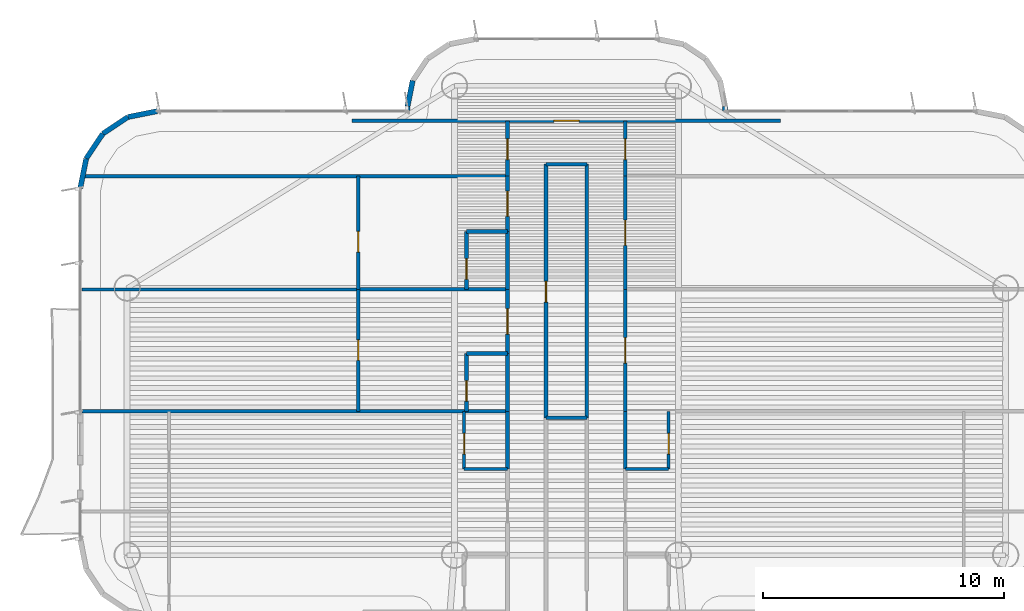
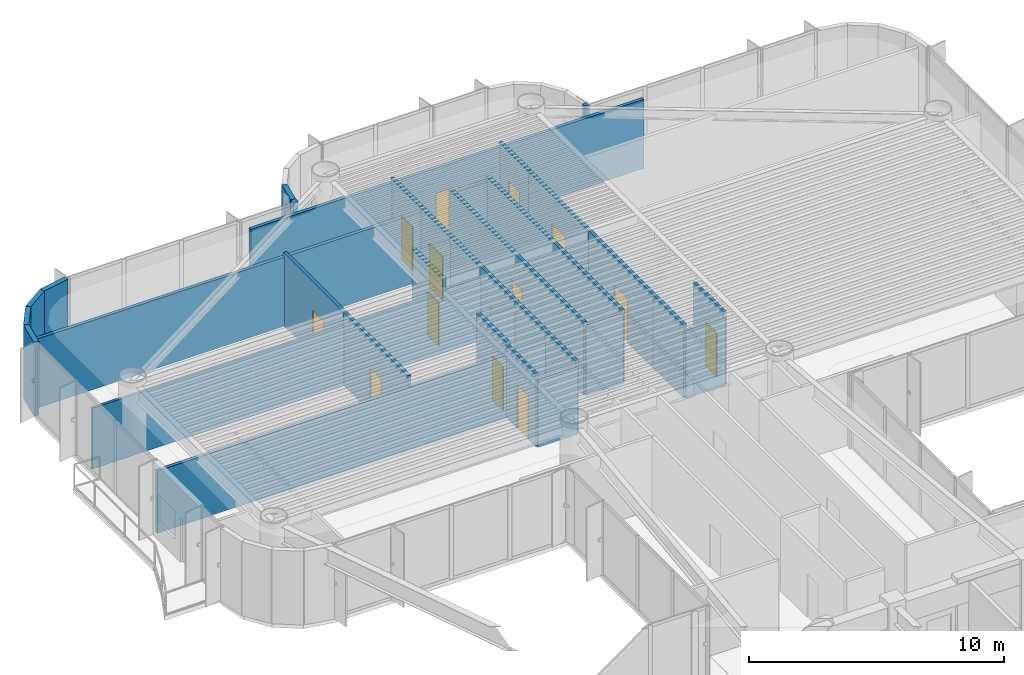
# One storey, part 11 of 14: 36 walls, 14 doors, 14 openings.
"""IFC4 building model written with IfcOpenShell, lengths in metres."""

from ifc_helpers import new_model, si_unit, direction, frame, frame_2d, origin, origin_2d, place, context, subcontext, project, spatial, rectangle, extrude, source, transform, mapped, material, layer, layer_set, type_object, element, fill, save


model = new_model("IFC4")

# Units and contexts
model_context = context("Model", 3, precision=1e-05, world=origin(), true_north=direction((0.0, 1.0)))
body_context = subcontext(model_context, "Body", "Model", "MODEL_VIEW")
ifc_project = project(units=[si_unit("LENGTHUNIT", "METRE"), si_unit("AREAUNIT", "SQUARE_METRE"), si_unit("VOLUMEUNIT", "CUBIC_METRE"), si_unit("PLANEANGLEUNIT", "RADIAN"), si_unit("MASSUNIT", "GRAM", prefix="KILO")], contexts=[model_context])

# Site, building, storey
site_placement = place(None, origin())
site = spatial("IfcSite", under=ifc_project, at=site_placement, CompositionType="ELEMENT")
building_placement = place(site_placement, origin())
building = spatial("IfcBuilding", under=site, at=building_placement, Name="Brelvock Crest Care Tower", CompositionType="ELEMENT")
storey_placement = place(building_placement, frame((0.0, 0.0, 205.56005859375)))
storey = spatial("IfcBuildingStorey", under=building, at=storey_placement, Name="L52", CompositionType="ELEMENT", Elevation=205.56005859375)

# Walls
ifc_material_1 = material(Name="Precast concrete N40 (40 MPa)", Category="concrete")
ifc_layer_1 = layer(ifc_material_1, 0.215087890625, Name="WL-EX2")
ifc_layer_set_1 = layer_set([ifc_layer_1], Name="Precast concrete N40 (40 MPa)")
wall_type_1 = type_object("IfcWallType", Name="WL-EX2", PredefinedType="SOLIDWALL", material=ifc_layer_set_1)
for number, where, z_axis, x_axis, name in (
    (1, (15.800048828125, 50.199951171875, 0.0), (0.0, 0.0, 1.0), (0.195138390419, 0.980775717779, 0.0), "L52 Rounded Corner Wall 18"),
    (2, (16.043701171875, 51.424560546875, 0.0), (0.0, 0.0, 1.0), (0.555557312883, 0.831478245117, 0.0), "L52 Rounded Corner Wall 19"),
    (3, (16.7373046875, 52.462646484375, 0.0), (0.0, 0.0, 1.0), (0.831387912822, 0.555692485475, 0.0), "L52 Rounded Corner Wall 20"),
    (4, (17.775390625, 53.156494140625, 0.0), (0.0, 0.0, 1.0), (0.980813122964, 0.194950295773, 0.0), "L52 Rounded Corner Wall 21"),
):
    element("IfcWall", number, at=place(storey_placement, frame(where, z_axis=z_axis, x_axis=x_axis)), inside=storey, type_object=wall_type_1, Name=name, PredefinedType="SOLIDWALL", context=body_context, shape_type="SweptSolid", body=[
        extrude(rectangle(XDim=1.24853515625, YDim=0.215087890625, at=frame_2d((0.624267578125, 0.0))), origin(), (0.0, 0.0, 1.0), 3.530029296875),
    ])
wall_1_placement = place(storey_placement, frame((29.39990234375, 53.39990234375, 0.0), z_axis=(0.0, 0.0, 1.0), x_axis=(0.0, 1.0, 0.0)))
element("IfcWall", 5, at=wall_1_placement, inside=storey, type_object=wall_type_1, Name="L52 Rounded Corner Wall 23", PredefinedType="SOLIDWALL", context=body_context, shape_type="SweptSolid", body=[
    extrude(rectangle(XDim=0.2001953125, YDim=0.215087890625, at=frame_2d((0.10009765625, 0.0))), origin(), (0.0, 0.0, 1.0), 3.530029296875),
])
wall_2_placement = place(storey_placement, frame((29.39990234375, 53.60009765625, 0.0), z_axis=(0.0, 0.0, 1.0), x_axis=(0.195127417394, 0.980777900945, 0.0)))
element("IfcWall", 6, at=wall_2_placement, inside=storey, type_object=wall_type_1, Name="L52 Rounded Corner Wall 24", PredefinedType="SOLIDWALL", context=body_context, shape_type="SweptSolid", body=[
    extrude(rectangle(XDim=1.09228515625, YDim=0.215087890625, at=frame_2d((0.546142578125, 0.0))), origin(), (0.0, 0.0, 1.0), 3.530029296875),
])
wall_3_placement = place(storey_placement, frame((42.60009765625, 53.60009765625, 0.0), z_axis=(0.0, 0.0, 1.0), x_axis=(0.0, -1.0, 0.0)))
element("IfcWall", 7, at=wall_3_placement, inside=storey, type_object=wall_type_1, Name="L52 Rounded Corner Wall 33", PredefinedType="SOLIDWALL", context=body_context, shape_type="SweptSolid", body=[
    extrude(rectangle(XDim=0.2001953125, YDim=0.215087890625, at=frame_2d((0.10009765625, 0.0))), origin(), (0.0, 0.0, 1.0), 3.530029296875),
])
ifc_material_2 = material(Name="Masonry Blockwork Acoustic Partition", Category="masonry")
ifc_layer_2 = layer(ifc_material_2, 0.14990234375, Name="WL-INT1")
ifc_layer_set_2 = layer_set([ifc_layer_2], Name="Masonry Blockwork Acoustic Partition")
wall_type_2 = type_object("IfcWallType", Name="WL-INT1", PredefinedType="PARTITIONING", material=ifc_layer_set_2)
wall_4_placement = place(storey_placement, frame((35.14990234375, 40.659912109375, 0.0), z_axis=(0.0, 0.0, 1.0), x_axis=(1.0, 0.0, 0.0)))
element("IfcWall", 8, at=wall_4_placement, inside=storey, type_object=wall_type_2, Name="L52 Interior Wall WL-BX-L52-ISKT-S", PredefinedType="PARTITIONING", context=body_context, shape_type="SweptSolid", body=[
    extrude(rectangle(XDim=1.7001953125, YDim=0.14990234375, at=frame_2d((0.85009765625, 0.0))), origin(), (0.0, 0.0, 1.0), 3.259033203125),
])
wall_5_placement = place(storey_placement, frame((15.8798828125, 40.926025390625, 0.0), z_axis=(0.0, 0.0, 1.0), x_axis=(1.0, 0.0, 0.0)))
element("IfcWall", 9, at=wall_5_placement, inside=storey, type_object=wall_type_2, Name="L52 Interior Wall WL-BX-L52-FL-WF1-N", PredefinedType="PARTITIONING", context=body_context, shape_type="SweptSolid", body=[
    extrude(rectangle(XDim=17.670166015625, YDim=0.14990234375, at=frame_2d((8.8349609375, 0.0))), origin(), (0.0, 0.0, 1.0), 2.98193359375),
])
wall_6_placement = place(storey_placement, frame((27.35009765625, 45.993896484375, 0.0), z_axis=(0.0, 0.0, 1.0), x_axis=(1.0, 0.0, 0.0)))
element("IfcWall", 10, at=wall_6_placement, inside=storey, type_object=wall_type_2, Name="L52 Interior Wall WL-BX-L52-CS-WFC2-N", PredefinedType="PARTITIONING", context=body_context, shape_type="SweptSolid", body=[
    extrude(rectangle(XDim=6.199951171875, YDim=0.14990234375, at=frame_2d((3.10009765625, 0.0))), origin(), (0.0, 0.0, 1.0), 2.90283203125),
])
wall_7_placement = place(storey_placement, frame((15.98095703125, 50.699951171875, 0.0), z_axis=(0.0, 0.0, 1.0), x_axis=(1.0, 0.0, 0.0)))
element("IfcWall", 11, at=wall_7_placement, inside=storey, type_object=wall_type_2, Name="L52 Interior Wall WL-BX-L52-NALW-S", PredefinedType="PARTITIONING", context=body_context, shape_type="SweptSolid", body=[
    extrude(rectangle(XDim=17.569091796875, YDim=0.14990234375, at=frame_2d((8.78466796875, 0.0))), origin(), (0.0, 0.0, 1.0), 3.307861328125),
])
wall_8_placement = place(storey_placement, frame((35.14990234375, 51.199951171875, 0.0), z_axis=(0.0, 0.0, 1.0), x_axis=(1.0, 0.0, 0.0)))
element("IfcWall", 12, at=wall_8_placement, inside=storey, type_object=wall_type_2, Name="L52 Interior Wall WL-BX-L52-ISKT-N", PredefinedType="PARTITIONING", context=body_context, shape_type="SweptSolid", body=[
    extrude(rectangle(XDim=1.7001953125, YDim=0.14990234375, at=frame_2d((0.85009765625, 0.0))), origin(), (0.0, 0.0, 1.0), 3.307861328125),
])

# Wall, opening, door
wall_9_placement = place(storey_placement, frame((27.10009765625, 53.0, 0.0), z_axis=(0.0, 0.0, 1.0), x_axis=(1.0, 0.0, 0.0)))
wall_9 = element("IfcWall", 13, at=wall_9_placement, inside=storey, type_object=wall_type_2, Name="L52 Interior Wall WL-RM-L52-NHUB", PredefinedType="PARTITIONING", context=body_context, shape_type="SweptSolid", body=[
    extrude(rectangle(XDim=17.7998046875, YDim=0.14990234375, at=frame_2d((8.89990234375, 0.0))), origin(), (0.0, 0.0, 1.0), 3.307861328125),
])
opening_1_placement = place(wall_9_placement, frame((8.375, 0.0, 0.0)))
opening_1 = element("IfcOpeningElement", 14, at=opening_1_placement, cuts=wall_9, Name="Opening CLD-1", PredefinedType="OPENING", context=body_context, shape_type="SweptSolid", body=[
    extrude(rectangle(XDim=1.050048828125, YDim=2.10009765625, at=origin_2d()), frame((0.52490234375, 0.0849609375, 1.050048828125), z_axis=(0.0, -1.0, 0.0), x_axis=(1.0, 0.0, 0.0)), (0.0, 0.0, 1.0), 0.169921875),
])
ifc_material_3 = material(Name="Engineered Hardwood Timber", Category="wood")
door_type_1 = type_object("IfcDoorType", Name="DR-CLN1", OperationType="NOTDEFINED", PredefinedType="DOOR", material=ifc_material_3)
shared_shape_1 = source(origin(), body_context, "Body", "SweptSolid", [
    extrude(rectangle(XDim=1.050048828125, YDim=2.10009765625, at=origin_2d()), frame((0.52490234375, 0.02490234375, 1.050048828125), z_axis=(0.0, -1.0, 0.0), x_axis=(1.0, 0.0, 0.0)), (0.0, 0.0, 1.0), 0.050048828125),
])
door_1_placement = place(opening_1_placement, origin())
door_1 = element("IfcDoor", 15, at=door_1_placement, inside=storey, type_object=door_type_1, Name="L52 Harbour Lookout Dining Salon Door NHUB", OperationType="SINGLE_SWING_LEFT", OverallHeight=2.10009765625, OverallWidth=1.050048828125, PredefinedType="DOOR", context=body_context, shape_type="MappedRepresentation", body=[
    mapped(shared_shape_1, transform((0.0, 0.0, 0.0), x_axis=(1.0, 0.0, 0.0), y_axis=(0.0, 1.0, 0.0), z_axis=(0.0, 0.0, 1.0), scale=1.0)),
])
fill(opening_1, door_1)

wall_10_placement = place(storey_placement, frame((27.35009765625, 40.926025390625, 0.0), z_axis=(0.0, 0.0, 1.0), x_axis=(0.0, 1.0, 0.0)))
wall_10 = element("IfcWall", 16, at=wall_10_placement, inside=storey, type_object=wall_type_2, Name="L52 Interior Wall WL-RM-L52-WFC2S", PredefinedType="PARTITIONING", context=body_context, shape_type="SweptSolid", body=[
    extrude(rectangle(XDim=5.06787109375, YDim=0.14990234375, at=frame_2d((2.533935546875, 0.0))), origin(), (0.0, 0.0, 1.0), 3.5),
])
opening_2_placement = place(wall_10_placement, frame((2.114013671875, 0.0, 0.0)))
opening_2 = element("IfcOpeningElement", 17, at=opening_2_placement, cuts=wall_10, Name="Opening ID-1", PredefinedType="OPENING", context=body_context, shape_type="SweptSolid", body=[
    extrude(rectangle(XDim=0.860107421875, YDim=2.10009765625, at=origin_2d()), frame((0.43017578125, 0.0849609375, 1.050048828125), z_axis=(0.0, -1.0, 0.0), x_axis=(1.0, 0.0, 0.0)), (0.0, 0.0, 1.0), 0.169921875),
])
door_type_2 = type_object("IfcDoorType", Name="DR-INT1", OperationType="NOTDEFINED", PredefinedType="DOOR", material=ifc_material_3)
shared_shape_2 = source(origin(), body_context, "Body", "SweptSolid", [
    extrude(rectangle(XDim=0.860107421875, YDim=2.10009765625, at=origin_2d()), frame((0.43017578125, 0.02490234375, 1.050048828125), z_axis=(0.0, -1.0, 0.0), x_axis=(1.0, 0.0, 0.0)), (0.0, 0.0, 1.0), 0.050048828125),
])
door_2_placement = place(opening_2_placement, origin())
door_2 = element("IfcDoor", 18, at=door_2_placement, inside=storey, type_object=door_type_2, Name="L52 Assisted Care Mobility Store Door WFC2S", OperationType="SINGLE_SWING_LEFT", OverallHeight=2.10009765625, OverallWidth=0.860107421875, PredefinedType="DOOR", context=body_context, shape_type="MappedRepresentation", body=[
    mapped(shared_shape_2, transform((0.0, 0.0, 0.0), x_axis=(1.0, 0.0, 0.0), y_axis=(0.0, 1.0, 0.0), z_axis=(0.0, 0.0, 1.0), scale=1.0)),
])
fill(opening_2, door_2)

wall_11_placement = place(storey_placement, frame((27.35009765625, 45.993896484375, 0.0), z_axis=(0.0, 0.0, 1.0), x_axis=(0.0, 1.0, 0.0)))
wall_11 = element("IfcWall", 19, at=wall_11_placement, inside=storey, type_object=wall_type_2, Name="L52 Interior Wall WL-RM-L52-WFC3S", PredefinedType="PARTITIONING", context=body_context, shape_type="SweptSolid", body=[
    extrude(rectangle(XDim=4.7060546875, YDim=0.14990234375, at=frame_2d((2.35302734375, 0.0))), origin(), (0.0, 0.0, 1.0), 3.5),
])
opening_3_placement = place(wall_11_placement, frame((1.5458984375, 0.0, 0.0)))
opening_3 = element("IfcOpeningElement", 20, at=opening_3_placement, cuts=wall_11, Name="Opening ID-1", PredefinedType="OPENING", context=body_context, shape_type="SweptSolid", body=[
    extrude(rectangle(XDim=0.860107421875, YDim=2.10009765625, at=origin_2d()), frame((0.43017578125, 0.0849609375, 1.050048828125), z_axis=(0.0, -1.0, 0.0), x_axis=(1.0, 0.0, 0.0)), (0.0, 0.0, 1.0), 0.169921875),
])
door_3_placement = place(opening_3_placement, origin())
door_3 = element("IfcDoor", 21, at=door_3_placement, inside=storey, type_object=door_type_2, Name="L52 Assisted Care Mobility Store Door WFC3S", OperationType="SINGLE_SWING_LEFT", OverallHeight=2.10009765625, OverallWidth=0.860107421875, PredefinedType="DOOR", context=body_context, shape_type="MappedRepresentation", body=[
    mapped(shared_shape_2, transform((0.0, 0.0, 0.0), x_axis=(1.0, 0.0, 0.0), y_axis=(0.0, 1.0, 0.0), z_axis=(0.0, 0.0, 1.0), scale=1.0)),
])
fill(opening_3, door_3)

# Wall
wall_12_placement = place(storey_placement, frame((33.550048828125, 38.52587890625, 0.0), z_axis=(0.0, 0.0, 1.0), x_axis=(0.0, 1.0, 0.0)))
element("IfcWall", 22, at=wall_12_placement, inside=storey, type_object=wall_type_2, Name="L52 Interior Wall WL-UCK-L52-WF1", PredefinedType="PARTITIONING", context=body_context, shape_type="SweptSolid", body=[
    extrude(rectangle(XDim=2.400146484375, YDim=0.14990234375, at=frame_2d((1.2001953125, 0.0))), origin(), (0.0, 0.0, 1.0), 3.5),
])

# Wall, opening, door
wall_13_placement = place(storey_placement, frame((33.550048828125, 43.325927734375, 0.0), z_axis=(0.0, 0.0, 1.0), x_axis=(0.0, 1.0, 0.0)))
wall_13 = element("IfcWall", 23, at=wall_13_placement, inside=storey, type_object=wall_type_2, Name="L52 Interior Wall WL-CENT-L52-WFC2", PredefinedType="PARTITIONING", context=body_context, shape_type="SweptSolid", body=[
    extrude(rectangle(XDim=2.66796875, YDim=0.14990234375, at=frame_2d((1.333984375, 0.0))), origin(), (0.0, 0.0, 1.0), 3.5),
])
opening_4_placement = place(wall_13_placement, frame((0.81396484375, 0.0, 0.0)))
opening_4 = element("IfcOpeningElement", 24, at=opening_4_placement, cuts=wall_13, Name="Opening CD-1", PredefinedType="OPENING", context=body_context, shape_type="SweptSolid", body=[
    extrude(rectangle(XDim=1.050048828125, YDim=2.10009765625, at=origin_2d()), frame((0.52490234375, 0.0849609375, 1.050048828125), z_axis=(0.0, -1.0, 0.0), x_axis=(1.0, 0.0, 0.0)), (0.0, 0.0, 1.0), 0.169921875),
])
door_type_3 = type_object("IfcDoorType", Name="DR-CARE1", OperationType="NOTDEFINED", PredefinedType="DOOR", material=ifc_material_3)
shared_shape_3 = source(origin(), body_context, "Body", "SweptSolid", [
    extrude(rectangle(XDim=1.050048828125, YDim=2.10009765625, at=origin_2d()), frame((0.52490234375, 0.02490234375, 1.050048828125), z_axis=(0.0, -1.0, 0.0), x_axis=(1.0, 0.0, 0.0)), (0.0, 0.0, 1.0), 0.050048828125),
])
door_4_placement = place(opening_4_placement, origin())
door_4 = element("IfcDoor", 25, at=door_4_placement, inside=storey, type_object=door_type_3, Name="L52 Care Suite Door WFC2", OperationType="SINGLE_SWING_LEFT", OverallHeight=2.10009765625, OverallWidth=1.050048828125, PredefinedType="DOOR", context=body_context, shape_type="MappedRepresentation", body=[
    mapped(shared_shape_3, transform((0.0, 0.0, 0.0), x_axis=(1.0, 0.0, 0.0), y_axis=(0.0, 1.0, 0.0), z_axis=(0.0, 0.0, 1.0), scale=1.0)),
])
fill(opening_4, door_4)

wall_14_placement = place(storey_placement, frame((33.550048828125, 48.39404296875, 0.0), z_axis=(0.0, 0.0, 1.0), x_axis=(0.0, 1.0, 0.0)))
wall_14 = element("IfcWall", 26, at=wall_14_placement, inside=storey, type_object=wall_type_2, Name="L52 Interior Wall WL-CENT-L52-WFC3", PredefinedType="PARTITIONING", context=body_context, shape_type="SweptSolid", body=[
    extrude(rectangle(XDim=2.305908203125, YDim=0.14990234375, at=frame_2d((1.15283203125, 0.0))), origin(), (0.0, 0.0, 1.0), 3.5),
])
opening_5_placement = place(wall_14_placement, frame((0.633056640625, 0.0, 0.0)))
opening_5 = element("IfcOpeningElement", 27, at=opening_5_placement, cuts=wall_14, Name="Opening CD-1", PredefinedType="OPENING", context=body_context, shape_type="SweptSolid", body=[
    extrude(rectangle(XDim=1.050048828125, YDim=2.10009765625, at=origin_2d()), frame((0.52490234375, 0.0849609375, 1.050048828125), z_axis=(0.0, -1.0, 0.0), x_axis=(1.0, 0.0, 0.0)), (0.0, 0.0, 1.0), 0.169921875),
])
door_5_placement = place(opening_5_placement, origin())
door_5 = element("IfcDoor", 28, at=door_5_placement, inside=storey, type_object=door_type_3, Name="L52 Care Suite Door WFC3", OperationType="SINGLE_SWING_LEFT", OverallHeight=2.10009765625, OverallWidth=1.050048828125, PredefinedType="DOOR", context=body_context, shape_type="MappedRepresentation", body=[
    mapped(shared_shape_3, transform((0.0, 0.0, 0.0), x_axis=(1.0, 0.0, 0.0), y_axis=(0.0, 1.0, 0.0), z_axis=(0.0, 0.0, 1.0), scale=1.0)),
])
fill(opening_5, door_5)

wall_15_placement = place(storey_placement, frame((33.550048828125, 50.699951171875, 0.0), z_axis=(0.0, 0.0, 1.0), x_axis=(0.0, 1.0, 0.0)))
wall_15 = element("IfcWall", 29, at=wall_15_placement, inside=storey, type_object=wall_type_2, Name="L52 Interior Wall WL-RM-L52-NALW", PredefinedType="PARTITIONING", context=body_context, shape_type="SweptSolid", body=[
    extrude(rectangle(XDim=2.300048828125, YDim=0.14990234375, at=frame_2d((1.14990234375, 0.0))), origin(), (0.0, 0.0, 1.0), 3.5),
])
opening_6_placement = place(wall_15_placement, frame((0.68994140625, 0.0, 0.0)))
opening_6 = element("IfcOpeningElement", 30, at=opening_6_placement, cuts=wall_15, Name="Opening ID-1", PredefinedType="OPENING", context=body_context, shape_type="SweptSolid", body=[
    extrude(rectangle(XDim=0.860107421875, YDim=2.10009765625, at=origin_2d()), frame((0.43017578125, 0.0849609375, 1.050048828125), z_axis=(0.0, -1.0, 0.0), x_axis=(1.0, 0.0, 0.0)), (0.0, 0.0, 1.0), 0.169921875),
])
door_6_placement = place(opening_6_placement, origin())
door_6 = element("IfcDoor", 31, at=door_6_placement, inside=storey, type_object=door_type_2, Name="L52 North West Sun Alcove Door NALW", OperationType="SINGLE_SWING_LEFT", OverallHeight=2.10009765625, OverallWidth=0.860107421875, PredefinedType="DOOR", context=body_context, shape_type="MappedRepresentation", body=[
    mapped(shared_shape_2, transform((0.0, 0.0, 0.0), x_axis=(1.0, 0.0, 0.0), y_axis=(0.0, 1.0, 0.0), z_axis=(0.0, 0.0, 1.0), scale=1.0)),
])
fill(opening_6, door_6)

wall_16_placement = place(storey_placement, frame((35.14990234375, 40.659912109375, 0.0), z_axis=(0.0, 0.0, 1.0), x_axis=(0.0, 1.0, 0.0)))
wall_16 = element("IfcWall", 32, at=wall_16_placement, inside=storey, type_object=wall_type_2, Name="L52 Interior Wall WL-RM-L52-ISKT", PredefinedType="PARTITIONING", context=body_context, shape_type="SweptSolid", body=[
    extrude(rectangle(XDim=10.5400390625, YDim=0.14990234375, at=frame_2d((5.27001953125, 0.0))), origin(), (0.0, 0.0, 1.0), 3.5),
])
opening_7_placement = place(wall_16_placement, frame((4.81005859375, 0.0, 0.0)))
opening_7 = element("IfcOpeningElement", 33, at=opening_7_placement, cuts=wall_16, Name="Opening ID-1", PredefinedType="OPENING", context=body_context, shape_type="SweptSolid", body=[
    extrude(rectangle(XDim=0.860107421875, YDim=2.10009765625, at=origin_2d()), frame((0.43017578125, 0.0849609375, 1.050048828125), z_axis=(0.0, -1.0, 0.0), x_axis=(1.0, 0.0, 0.0)), (0.0, 0.0, 1.0), 0.169921875),
])
door_7_placement = place(opening_7_placement, origin())
door_7 = element("IfcDoor", 34, at=door_7_placement, inside=storey, type_object=door_type_2, Name="L52 Communal Tea and Nutrition Pantry Door ISKT", OperationType="SINGLE_SWING_LEFT", OverallHeight=2.10009765625, OverallWidth=0.860107421875, PredefinedType="DOOR", context=body_context, shape_type="MappedRepresentation", body=[
    mapped(shared_shape_2, transform((0.0, 0.0, 0.0), x_axis=(1.0, 0.0, 0.0), y_axis=(0.0, 1.0, 0.0), z_axis=(0.0, 0.0, 1.0), scale=1.0)),
])
fill(opening_7, door_7)

# Walls
wall_17_placement = place(storey_placement, frame((36.85009765625, 40.659912109375, 0.0), z_axis=(0.0, 0.0, 1.0), x_axis=(0.0, 1.0, 0.0)))
element("IfcWall", 35, at=wall_17_placement, inside=storey, type_object=wall_type_2, Name="L52 Interior Wall WL-BX-L52-ISKT-E", PredefinedType="PARTITIONING", context=body_context, shape_type="SweptSolid", body=[
    extrude(rectangle(XDim=10.5400390625, YDim=0.14990234375, at=frame_2d((5.27001953125, 0.0))), origin(), (0.0, 0.0, 1.0), 3.5),
])
wall_18_placement = place(storey_placement, frame((38.449951171875, 38.52587890625, 0.0), z_axis=(0.0, 0.0, 1.0), x_axis=(0.0, 1.0, 0.0)))
element("IfcWall", 36, at=wall_18_placement, inside=storey, type_object=wall_type_2, Name="L52 Interior Wall WL-UCK-L52-EF1", PredefinedType="PARTITIONING", context=body_context, shape_type="SweptSolid", body=[
    extrude(rectangle(XDim=2.400146484375, YDim=0.14990234375, at=frame_2d((1.2001953125, 0.0))), origin(), (0.0, 0.0, 1.0), 3.5),
])

# Wall, opening, door
wall_19_placement = place(storey_placement, frame((38.449951171875, 40.926025390625, 0.0), z_axis=(0.0, 0.0, 1.0), x_axis=(0.0, 1.0, 0.0)))
wall_19 = element("IfcWall", 37, at=wall_19_placement, inside=storey, type_object=wall_type_2, Name="L52 Interior Wall WL-RM-L52-EFL2", PredefinedType="PARTITIONING", context=body_context, shape_type="SweptSolid", body=[
    extrude(rectangle(XDim=5.06787109375, YDim=0.14990234375, at=frame_2d((2.533935546875, 0.0))), origin(), (0.0, 0.0, 1.0), 3.5),
])
opening_8_placement = place(wall_19_placement, frame((2.009033203125, 0.0, 0.0)))
opening_8 = element("IfcOpeningElement", 38, at=opening_8_placement, cuts=wall_19, Name="Opening CLD-1", PredefinedType="OPENING", context=body_context, shape_type="SweptSolid", body=[
    extrude(rectangle(XDim=1.050048828125, YDim=2.10009765625, at=origin_2d()), frame((0.52490234375, 0.0849609375, 1.050048828125), z_axis=(0.0, -1.0, 0.0), x_axis=(1.0, 0.0, 0.0)), (0.0, 0.0, 1.0), 0.169921875),
])
door_8_placement = place(opening_8_placement, origin())
door_8 = element("IfcDoor", 39, at=door_8_placement, inside=storey, type_object=door_type_1, Name="L52 Sky Neighbourhood Drawing Room Door EFL2", OperationType="SINGLE_SWING_LEFT", OverallHeight=2.10009765625, OverallWidth=1.050048828125, PredefinedType="DOOR", context=body_context, shape_type="MappedRepresentation", body=[
    mapped(shared_shape_1, transform((0.0, 0.0, 0.0), x_axis=(1.0, 0.0, 0.0), y_axis=(0.0, 1.0, 0.0), z_axis=(0.0, 0.0, 1.0), scale=1.0)),
])
fill(opening_8, door_8)

wall_20_placement = place(storey_placement, frame((38.449951171875, 45.993896484375, 0.0), z_axis=(0.0, 0.0, 1.0), x_axis=(0.0, 1.0, 0.0)))
wall_20 = element("IfcWall", 40, at=wall_20_placement, inside=storey, type_object=wall_type_2, Name="L52 Interior Wall WL-RM-L52-EFL3", PredefinedType="PARTITIONING", context=body_context, shape_type="SweptSolid", body=[
    extrude(rectangle(XDim=4.7060546875, YDim=0.14990234375, at=frame_2d((2.35302734375, 0.0))), origin(), (0.0, 0.0, 1.0), 3.5),
])
opening_9_placement = place(wall_20_placement, frame((1.827880859375, 0.0, 0.0)))
opening_9 = element("IfcOpeningElement", 41, at=opening_9_placement, cuts=wall_20, Name="Opening CLD-1", PredefinedType="OPENING", context=body_context, shape_type="SweptSolid", body=[
    extrude(rectangle(XDim=1.050048828125, YDim=2.10009765625, at=origin_2d()), frame((0.52490234375, 0.0849609375, 1.050048828125), z_axis=(0.0, -1.0, 0.0), x_axis=(1.0, 0.0, 0.0)), (0.0, 0.0, 1.0), 0.169921875),
])
door_9_placement = place(opening_9_placement, origin())
door_9 = element("IfcDoor", 42, at=door_9_placement, inside=storey, type_object=door_type_1, Name="L52 Sky Neighbourhood Drawing Room Door EFL3", OperationType="SINGLE_SWING_LEFT", OverallHeight=2.10009765625, OverallWidth=1.050048828125, PredefinedType="DOOR", context=body_context, shape_type="MappedRepresentation", body=[
    mapped(shared_shape_1, transform((0.0, 0.0, 0.0), x_axis=(1.0, 0.0, 0.0), y_axis=(0.0, 1.0, 0.0), z_axis=(0.0, 0.0, 1.0), scale=1.0)),
])
fill(opening_9, door_9)

wall_21_placement = place(storey_placement, frame((38.449951171875, 50.699951171875, 0.0), z_axis=(0.0, 0.0, 1.0), x_axis=(0.0, 1.0, 0.0)))
wall_21 = element("IfcWall", 43, at=wall_21_placement, inside=storey, type_object=wall_type_2, Name="L52 Interior Wall WL-RM-L52-NALE", PredefinedType="PARTITIONING", context=body_context, shape_type="SweptSolid", body=[
    extrude(rectangle(XDim=2.300048828125, YDim=0.14990234375, at=frame_2d((1.14990234375, 0.0))), origin(), (0.0, 0.0, 1.0), 3.5),
])
opening_10_placement = place(wall_21_placement, frame((0.68994140625, 0.0, 0.0)))
opening_10 = element("IfcOpeningElement", 44, at=opening_10_placement, cuts=wall_21, Name="Opening ID-1", PredefinedType="OPENING", context=body_context, shape_type="SweptSolid", body=[
    extrude(rectangle(XDim=0.860107421875, YDim=2.10009765625, at=origin_2d()), frame((0.43017578125, 0.0849609375, 1.050048828125), z_axis=(0.0, -1.0, 0.0), x_axis=(1.0, 0.0, 0.0)), (0.0, 0.0, 1.0), 0.169921875),
])
door_10_placement = place(opening_10_placement, origin())
door_10 = element("IfcDoor", 45, at=door_10_placement, inside=storey, type_object=door_type_2, Name="L52 North East Tea Alcove Door NALE", OperationType="SINGLE_SWING_LEFT", OverallHeight=2.10009765625, OverallWidth=0.860107421875, PredefinedType="DOOR", context=body_context, shape_type="MappedRepresentation", body=[
    mapped(shared_shape_2, transform((0.0, 0.0, 0.0), x_axis=(1.0, 0.0, 0.0), y_axis=(0.0, 1.0, 0.0), z_axis=(0.0, 0.0, 1.0), scale=1.0)),
])
fill(opening_10, door_10)

# Walls
ifc_material_4 = material(Name="Gypsum Plasterboard Partition", Category="gypsum")
ifc_layer_3 = layer(ifc_material_4, 0.1201171875, Name="WL-INT2")
ifc_layer_set_3 = layer_set([ifc_layer_3], Name="Gypsum Plasterboard Partition")
wall_type_3 = type_object("IfcWallType", Name="WL-INT2", PredefinedType="PARTITIONING", material=ifc_layer_set_3)
for number, where, z_axis, x_axis, name in (
    (46, (31.75, 38.52587890625, 0.0), (0.0, 0.0, 1.0), (1.0, 0.0, 0.0), "L52 Interior Wall WL-UKIT2-L52-WF1"),
    (47, (38.449951171875, 38.52587890625, 0.0), (0.0, 0.0, 1.0), (1.0, 0.0, 0.0), "L52 Interior Wall WL-UKIT2-L52-EF1"),
):
    element("IfcWall", number, at=place(storey_placement, frame(where, z_axis=z_axis, x_axis=x_axis)), inside=storey, type_object=wall_type_3, Name=name, PredefinedType="PARTITIONING", context=body_context, shape_type="SweptSolid", body=[
        extrude(rectangle(XDim=1.800048828125, YDim=0.1201171875, at=frame_2d((0.89990234375, 0.0))), origin(), (0.0, 0.0, 1.0), 3.259033203125),
    ])
wall_22_placement = place(storey_placement, frame((15.8798828125, 45.993896484375, 0.0), z_axis=(0.0, 0.0, 1.0), x_axis=(1.0, 0.0, 0.0)))
element("IfcWall", 48, at=wall_22_placement, inside=storey, type_object=wall_type_3, Name="L52 Interior Wall WL-BX-L52-WFC2S-N", PredefinedType="PARTITIONING", context=body_context, shape_type="SweptSolid", body=[
    extrude(rectangle(XDim=11.47021484375, YDim=0.1201171875, at=frame_2d((5.735107421875, 0.0))), origin(), (0.0, 0.0, 1.0), 2.90283203125),
])

# Wall, opening, door
wall_23_placement = place(storey_placement, frame((31.75, 38.52587890625, 0.0), z_axis=(0.0, 0.0, 1.0), x_axis=(0.0, 1.0, 0.0)))
wall_23 = element("IfcWall", 49, at=wall_23_placement, inside=storey, type_object=wall_type_3, Name="L52 Interior Wall WL-UKIT1-L52-WF1", PredefinedType="PARTITIONING", context=body_context, shape_type="SweptSolid", body=[
    extrude(rectangle(XDim=2.400146484375, YDim=0.1201171875, at=frame_2d((1.2001953125, 0.0))), origin(), (0.0, 0.0, 1.0), 3.5),
])
opening_11_placement = place(wall_23_placement, frame((0.6201171875, 0.0, 0.0)))
opening_11 = element("IfcOpeningElement", 50, at=opening_11_placement, cuts=wall_23, Name="Opening ID-1", PredefinedType="OPENING", context=body_context, shape_type="SweptSolid", body=[
    extrude(rectangle(XDim=0.860107421875, YDim=2.10009765625, at=origin_2d()), frame((0.43017578125, 0.070068359375, 1.050048828125), z_axis=(0.0, -1.0, 0.0), x_axis=(1.0, 0.0, 0.0)), (0.0, 0.0, 1.0), 0.14013671875),
])
door_11_placement = place(opening_11_placement, origin())
door_11 = element("IfcDoor", 51, at=door_11_placement, inside=storey, type_object=door_type_2, Name="L52 Kitchen Door WF1", OperationType="SINGLE_SWING_LEFT", OverallHeight=2.10009765625, OverallWidth=0.860107421875, PredefinedType="DOOR", context=body_context, shape_type="MappedRepresentation", body=[
    mapped(shared_shape_2, transform((0.0, 0.0, 0.0), x_axis=(1.0, 0.0, 0.0), y_axis=(0.0, 1.0, 0.0), z_axis=(0.0, 0.0, 1.0), scale=1.0)),
])
fill(opening_11, door_11)

wall_24_placement = place(storey_placement, frame((40.25, 38.52587890625, 0.0), z_axis=(0.0, 0.0, 1.0), x_axis=(0.0, 1.0, 0.0)))
wall_24 = element("IfcWall", 52, at=wall_24_placement, inside=storey, type_object=wall_type_3, Name="L52 Interior Wall WL-UKIT1-L52-EF1", PredefinedType="PARTITIONING", context=body_context, shape_type="SweptSolid", body=[
    extrude(rectangle(XDim=2.400146484375, YDim=0.1201171875, at=frame_2d((1.2001953125, 0.0))), origin(), (0.0, 0.0, 1.0), 3.5),
])
opening_12_placement = place(wall_24_placement, frame((0.6201171875, 0.0, 0.0)))
opening_12 = element("IfcOpeningElement", 53, at=opening_12_placement, cuts=wall_24, Name="Opening ID-1", PredefinedType="OPENING", context=body_context, shape_type="SweptSolid", body=[
    extrude(rectangle(XDim=0.860107421875, YDim=2.10009765625, at=origin_2d()), frame((0.43017578125, 0.070068359375, 1.050048828125), z_axis=(0.0, -1.0, 0.0), x_axis=(1.0, 0.0, 0.0)), (0.0, 0.0, 1.0), 0.14013671875),
])
door_12_placement = place(opening_12_placement, origin())
door_12 = element("IfcDoor", 54, at=door_12_placement, inside=storey, type_object=door_type_2, Name="L52 Kitchen Door EF1", OperationType="SINGLE_SWING_RIGHT", OverallHeight=2.10009765625, OverallWidth=0.860107421875, PredefinedType="DOOR", context=body_context, shape_type="MappedRepresentation", body=[
    mapped(shared_shape_2, transform((0.0, 0.0, 0.0), x_axis=(1.0, 0.0, 0.0), y_axis=(0.0, 1.0, 0.0), z_axis=(0.0, 0.0, 1.0), scale=1.0)),
])
fill(opening_12, door_12)

# Walls
ifc_layer_4 = layer(ifc_material_4, 0.159912109375, Name="WL-PLM1")
ifc_layer_set_4 = layer_set([ifc_layer_4], Name="Gypsum Plasterboard Partition")
wall_type_4 = type_object("IfcWallType", Name="WL-PLM1", PredefinedType="PLUMBINGWALL", material=ifc_layer_set_4)
for number, where, z_axis, x_axis, name in (
    (55, (31.85009765625, 43.325927734375, 0.0), (0.0, 0.0, 1.0), (1.0, 0.0, 0.0), "L52 Interior Wall WL-CENS2-L52-WFC2"),
    (56, (31.85009765625, 48.39404296875, 0.0), (0.0, 0.0, 1.0), (1.0, 0.0, 0.0), "L52 Interior Wall WL-CENS2-L52-WFC3"),
):
    element("IfcWall", number, at=place(storey_placement, frame(where, z_axis=z_axis, x_axis=x_axis)), inside=storey, type_object=wall_type_4, Name=name, PredefinedType="PLUMBINGWALL", context=body_context, shape_type="SweptSolid", body=[
        extrude(rectangle(XDim=1.699951171875, YDim=0.159912109375, at=frame_2d((0.85009765625, 0.0))), origin(), (0.0, 0.0, 1.0), 3.259033203125),
    ])

# Wall, opening, door
wall_25_placement = place(storey_placement, frame((31.85009765625, 40.926025390625, 0.0), z_axis=(0.0, 0.0, 1.0), x_axis=(0.0, 1.0, 0.0)))
wall_25 = element("IfcWall", 57, at=wall_25_placement, inside=storey, type_object=wall_type_4, Name="L52 Interior Wall WL-CENS1-L52-WFC2", PredefinedType="PLUMBINGWALL", context=body_context, shape_type="SweptSolid", body=[
    extrude(rectangle(XDim=2.39990234375, YDim=0.159912109375, at=frame_2d((1.199951171875, 0.0))), origin(), (0.0, 0.0, 1.0), 3.5),
])
opening_13_placement = place(wall_25_placement, frame((0.419921875, 0.0, 0.0)))
opening_13 = element("IfcOpeningElement", 58, at=opening_13_placement, cuts=wall_25, Name="Opening WD-1", PredefinedType="OPENING", context=body_context, shape_type="SweptSolid", body=[
    extrude(rectangle(XDim=0.860107421875, YDim=2.10009765625, at=origin_2d()), frame((0.43017578125, 0.08984375, 1.050048828125), z_axis=(0.0, -1.0, 0.0), x_axis=(1.0, 0.0, 0.0)), (0.0, 0.0, 1.0), 0.179931640625),
])
door_type_4 = type_object("IfcDoorType", Name="DR-WC1", OperationType="NOTDEFINED", PredefinedType="DOOR", material=ifc_material_3)
shared_shape_4 = source(origin(), body_context, "Body", "SweptSolid", [
    extrude(rectangle(XDim=0.860107421875, YDim=2.10009765625, at=origin_2d()), frame((0.43017578125, 0.02490234375, 1.050048828125), z_axis=(0.0, -1.0, 0.0), x_axis=(1.0, 0.0, 0.0)), (0.0, 0.0, 1.0), 0.050048828125),
])
door_13_placement = place(opening_13_placement, origin())
door_13 = element("IfcDoor", 59, at=door_13_placement, inside=storey, type_object=door_type_4, Name="L52 Care En-Suite Door WFC2", OperationType="SINGLE_SWING_LEFT", OverallHeight=2.10009765625, OverallWidth=0.860107421875, PredefinedType="DOOR", context=body_context, shape_type="MappedRepresentation", body=[
    mapped(shared_shape_4, transform((0.0, 0.0, 0.0), x_axis=(1.0, 0.0, 0.0), y_axis=(0.0, 1.0, 0.0), z_axis=(0.0, 0.0, 1.0), scale=1.0)),
])
fill(opening_13, door_13)

wall_26_placement = place(storey_placement, frame((31.85009765625, 45.993896484375, 0.0), z_axis=(0.0, 0.0, 1.0), x_axis=(0.0, 1.0, 0.0)))
wall_26 = element("IfcWall", 60, at=wall_26_placement, inside=storey, type_object=wall_type_4, Name="L52 Interior Wall WL-CENS1-L52-WFC3", PredefinedType="PLUMBINGWALL", context=body_context, shape_type="SweptSolid", body=[
    extrude(rectangle(XDim=2.400146484375, YDim=0.159912109375, at=frame_2d((1.2001953125, 0.0))), origin(), (0.0, 0.0, 1.0), 3.5),
])
opening_14_placement = place(wall_26_placement, frame((0.419921875, 0.0, 0.0)))
opening_14 = element("IfcOpeningElement", 61, at=opening_14_placement, cuts=wall_26, Name="Opening WD-1", PredefinedType="OPENING", context=body_context, shape_type="SweptSolid", body=[
    extrude(rectangle(XDim=0.860107421875, YDim=2.10009765625, at=origin_2d()), frame((0.43017578125, 0.08984375, 1.050048828125), z_axis=(0.0, -1.0, 0.0), x_axis=(1.0, 0.0, 0.0)), (0.0, 0.0, 1.0), 0.179931640625),
])
door_14_placement = place(opening_14_placement, origin())
door_14 = element("IfcDoor", 62, at=door_14_placement, inside=storey, type_object=door_type_4, Name="L52 Care En-Suite Door WFC3", OperationType="SINGLE_SWING_LEFT", OverallHeight=2.10009765625, OverallWidth=0.860107421875, PredefinedType="DOOR", context=body_context, shape_type="MappedRepresentation", body=[
    mapped(shared_shape_4, transform((0.0, 0.0, 0.0), x_axis=(1.0, 0.0, 0.0), y_axis=(0.0, 1.0, 0.0), z_axis=(0.0, 0.0, 1.0), scale=1.0)),
])
fill(opening_14, door_14)

# Walls
wall_27_placement = place(storey_placement, frame((33.550048828125, 40.926025390625, 0.0), z_axis=(0.0, 0.0, 1.0), x_axis=(0.0, 1.0, 0.0)))
element("IfcWall", 63, at=wall_27_placement, inside=storey, type_object=wall_type_4, Name="L52 Interior Wall WL-CENS0-L52-WFC2", PredefinedType="PLUMBINGWALL", context=body_context, shape_type="SweptSolid", body=[
    extrude(rectangle(XDim=2.39990234375, YDim=0.159912109375, at=frame_2d((1.199951171875, 0.0))), origin(), (0.0, 0.0, 1.0), 3.5),
])
wall_28_placement = place(storey_placement, frame((33.550048828125, 45.993896484375, 0.0), z_axis=(0.0, 0.0, 1.0), x_axis=(0.0, 1.0, 0.0)))
element("IfcWall", 64, at=wall_28_placement, inside=storey, type_object=wall_type_4, Name="L52 Interior Wall WL-CENS0-L52-WFC3", PredefinedType="PLUMBINGWALL", context=body_context, shape_type="SweptSolid", body=[
    extrude(rectangle(XDim=2.400146484375, YDim=0.159912109375, at=frame_2d((1.2001953125, 0.0))), origin(), (0.0, 0.0, 1.0), 3.5),
])

save(model, "model.ifc")
